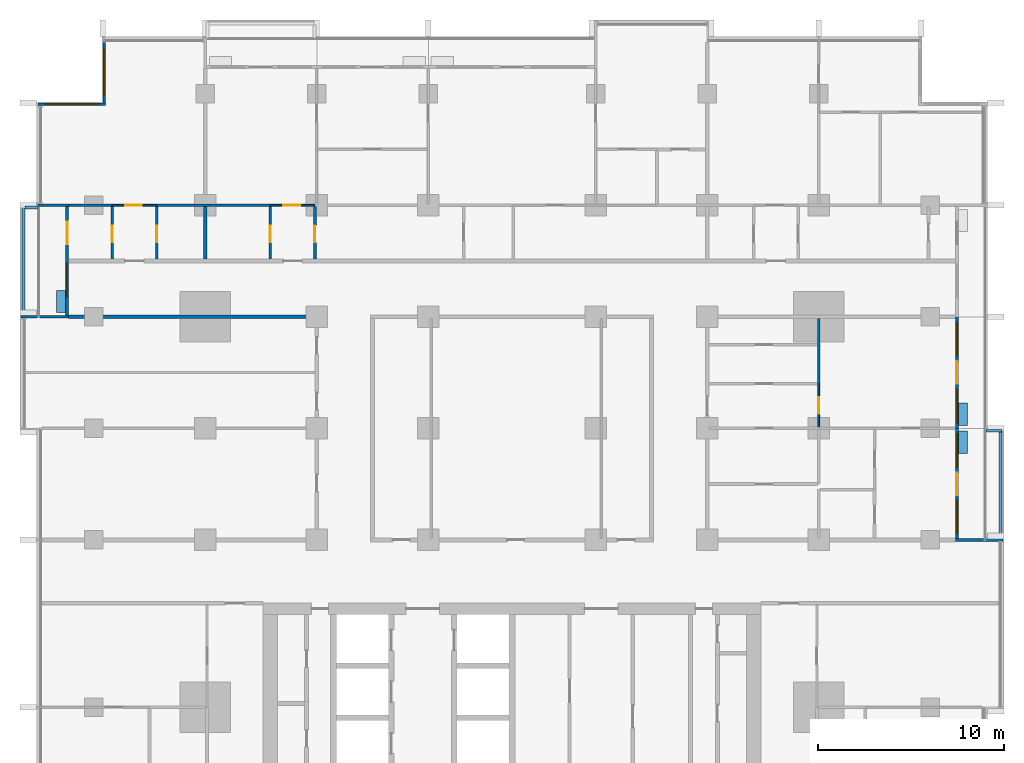
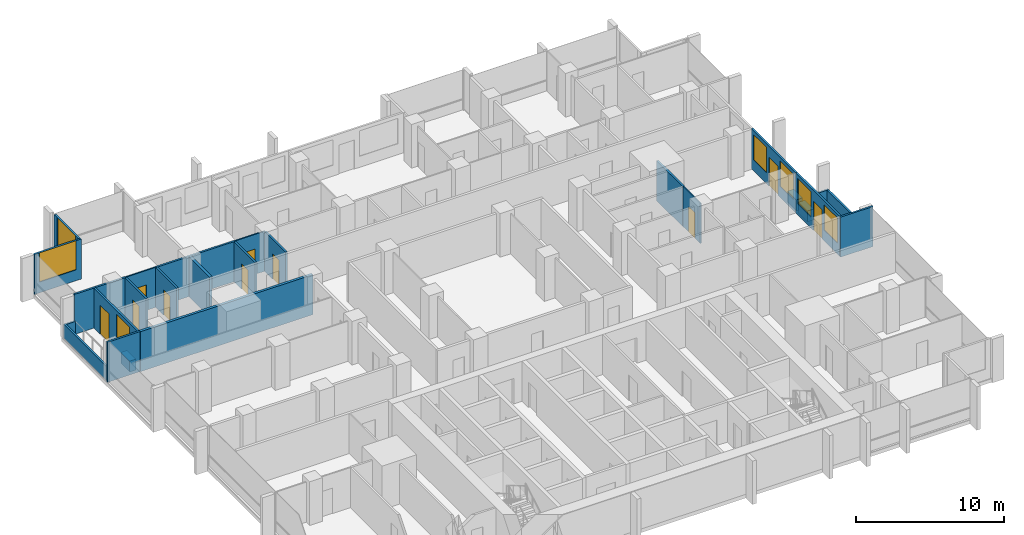
# One storey, part 10 of 17: 27 walls, 10 doors, 7 windows, 17 openings.
"""IFC4 building model written with IfcOpenShell, lengths in metres."""

from ifc_helpers import new_model, si_unit, direction, frame, frame_2d, origin, place, context, subcontext, project, spatial, rectangle, extrude, material, layer, layer_set, type_object, element, fill, save


model = new_model("IFC4")

# Units and contexts
model_context = context("Model", 3, precision=1e-05, world=origin(), true_north=direction((0.0, 1.0)))
body_context = subcontext(model_context, "Body", "Model", "MODEL_VIEW")
ifc_project = project(units=[si_unit("LENGTHUNIT", "METRE"), si_unit("AREAUNIT", "SQUARE_METRE"), si_unit("VOLUMEUNIT", "CUBIC_METRE"), si_unit("PLANEANGLEUNIT", "RADIAN"), si_unit("MASSUNIT", "GRAM", prefix="KILO")], contexts=[model_context])

# Site, building, storey
site_placement = place(None, origin())
site = spatial("IfcSite", under=ifc_project, at=site_placement, CompositionType="ELEMENT")
building_placement = place(site_placement, origin())
building = spatial("IfcBuilding", under=site, at=building_placement, Name="Finial Court Residences", CompositionType="ELEMENT")
storey_placement = place(building_placement, frame((0.0, 0.0, 95.5)))
storey = spatial("IfcBuildingStorey", under=building, at=storey_placement, Name="L23", CompositionType="ELEMENT", Elevation=95.5)

# Walls
ifc_material_1 = material(Name="Gypsum board")
ifc_layer_1 = layer(ifc_material_1, 0.02490234375)
ifc_material_2 = material(Name="Acoustic mineral wool in double frame")
ifc_layer_2 = layer(ifc_material_2, 0.14990234375)
ifc_layer_3 = layer(ifc_material_1, 0.02490234375)
ifc_layer_set_1 = layer_set([ifc_layer_1, ifc_layer_2, ifc_layer_3], Name="Acoustic party wall 200, 1 hour")
wall_type_1 = type_object("IfcWallType", Name="Acoustic party wall 200, 1 hour", PredefinedType="PARTITIONING", material=ifc_layer_set_1)
wall_1_placement = place(storey_placement, frame((-16.5, 10.60009765625, 0.0), z_axis=(0.0, 0.0, 1.0), x_axis=(0.0, 1.0, 0.0)))
element("IfcWall", 1, at=wall_1_placement, inside=storey, type_object=wall_type_1, Name="Partition L23-042", PredefinedType="PARTITIONING", context=body_context, shape_type="SweptSolid", body=[
    extrude(rectangle(XDim=2.824951171875, YDim=0.199951171875, at=frame_2d((1.41259765625, 0.0))), origin(), (0.0, 0.0, 1.0), 3.300048828125),
])
ifc_layer_4 = layer(ifc_material_1, 0.02490234375)
ifc_layer_5 = layer(ifc_material_2, 0.14990234375)
ifc_layer_6 = layer(ifc_material_1, 0.02490234375)
ifc_layer_set_2 = layer_set([ifc_layer_4, ifc_layer_5, ifc_layer_6], Name="Corridor wall 200, 1 hour")
wall_type_2 = type_object("IfcWallType", Name="Corridor wall 200, 1 hour", PredefinedType="PARTITIONING", material=ifc_layer_set_2)
wall_2_placement = place(storey_placement, frame((-23.85009765625, 7.5, 0.0), z_axis=(0.0, 0.0, 1.0), x_axis=(1.0, 0.0, 0.0)))
element("IfcWall", 2, at=wall_2_placement, inside=storey, type_object=wall_type_2, Name="Partition L23-021", PredefinedType="PARTITIONING", context=body_context, shape_type="SweptSolid", body=[
    extrude(rectangle(XDim=13.4501953125, YDim=0.199951171875, at=frame_2d((6.72509765625, 0.0))), origin(), (0.0, 0.0, 1.0), 3.300048828125),
])

# Wall, opening, door
ifc_layer_7 = layer(ifc_material_1, 0.012451171875)
ifc_material_3 = material(Name="Mineral wool in light-gauge frame")
ifc_layer_8 = layer(ifc_material_3, 0.074951171875)
ifc_layer_9 = layer(ifc_material_1, 0.012451171875)
ifc_layer_set_3 = layer_set([ifc_layer_7, ifc_layer_8, ifc_layer_9], Name="Gypsum board partition 100")
wall_type_3 = type_object("IfcWallType", Name="Gypsum board partition 100", PredefinedType="PARTITIONING", material=ifc_layer_set_3)
wall_3_placement = place(storey_placement, frame((-21.5, 13.5, 0.0), z_axis=(0.0, 0.0, 1.0), x_axis=(1.0, 0.0, 0.0)))
wall_3 = element("IfcWall", 3, at=wall_3_placement, inside=storey, type_object=wall_type_3, Name="Partition L23-025", PredefinedType="PARTITIONING", context=body_context, shape_type="SweptSolid", body=[
    extrude(rectangle(XDim=2.39990234375, YDim=0.10009765625, at=frame_2d((1.199951171875, 0.0))), origin(), (0.0, 0.0, 1.0), 3.300048828125),
])
opening_1_placement = place(wall_3_placement, frame((0.699951171875, 0.0, 0.0)))
opening_1 = element("IfcOpeningElement", 4, at=opening_1_placement, cuts=wall_3, Name="Opening L23-D018", PredefinedType="OPENING", context=body_context, shape_type="SweptSolid", body=[
    extrude(rectangle(XDim=0.89990234375, YDim=2.10009765625, at=frame_2d((0.449951171875, 1.050048828125))), frame((0.0, 0.06005859375, 0.0), z_axis=(0.0, -1.0, 0.0), x_axis=(1.0, 0.0, 0.0)), (0.0, 0.0, 1.0), 0.1201171875),
])
ifc_material_4 = material(Name="Timber door leaf in timber frame", Category="wood")
door_type_1 = type_object("IfcDoorType", Name="Door set 900 x 2100", OperationType="SINGLE_SWING_LEFT", PredefinedType="DOOR", material=ifc_material_4)
door_1_placement = place(opening_1_placement, origin())
door_1 = element("IfcDoor", 5, at=door_1_placement, inside=storey, type_object=door_type_1, Name="Door L23-D018", OperationType="SINGLE_SWING_RIGHT", OverallHeight=2.10009765625, OverallWidth=0.89990234375, PredefinedType="DOOR", context=body_context, shape_type="SweptSolid", body=[
    extrude(rectangle(XDim=0.89990234375, YDim=2.10009765625, at=frame_2d((0.449951171875, 1.050048828125))), frame((0.0, 0.02490234375, 0.0), z_axis=(0.0, -1.0, 0.0), x_axis=(1.0, 0.0, 0.0)), (0.0, 0.0, 1.0), 0.050048828125),
])
fill(opening_1, door_1)

wall_4_placement = place(storey_placement, frame((-13.0, 13.5, 0.0), z_axis=(0.0, 0.0, 1.0), x_axis=(1.0, 0.0, 0.0)))
wall_4 = element("IfcWall", 6, at=wall_4_placement, inside=storey, type_object=wall_type_3, Name="Partition L23-026", PredefinedType="PARTITIONING", context=body_context, shape_type="SweptSolid", body=[
    extrude(rectangle(XDim=2.39990234375, YDim=0.10009765625, at=frame_2d((1.199951171875, 0.0))), origin(), (0.0, 0.0, 1.0), 3.300048828125),
])
opening_2_placement = place(wall_4_placement, frame((0.699951171875, 0.0, 0.0)))
opening_2 = element("IfcOpeningElement", 7, at=opening_2_placement, cuts=wall_4, Name="Opening L23-D019", PredefinedType="OPENING", context=body_context, shape_type="SweptSolid", body=[
    extrude(rectangle(XDim=0.89990234375, YDim=2.10009765625, at=frame_2d((0.449951171875, 1.050048828125))), frame((0.0, 0.06005859375, 0.0), z_axis=(0.0, -1.0, 0.0), x_axis=(1.0, 0.0, 0.0)), (0.0, 0.0, 1.0), 0.1201171875),
])
door_2_placement = place(opening_2_placement, origin())
door_2 = element("IfcDoor", 8, at=door_2_placement, inside=storey, type_object=door_type_1, Name="Door L23-D019", OperationType="SINGLE_SWING_RIGHT", OverallHeight=2.10009765625, OverallWidth=0.89990234375, PredefinedType="DOOR", context=body_context, shape_type="SweptSolid", body=[
    extrude(rectangle(XDim=0.89990234375, YDim=2.10009765625, at=frame_2d((0.449951171875, 1.050048828125))), frame((0.0, 0.02490234375, 0.0), z_axis=(0.0, -1.0, 0.0), x_axis=(1.0, 0.0, 0.0)), (0.0, 0.0, 1.0), 0.050048828125),
])
fill(opening_2, door_2)

wall_5_placement = place(storey_placement, frame((16.5, 1.574951171875, 0.0), z_axis=(0.0, 0.0, 1.0), x_axis=(0.0, 1.0, 0.0)))
wall_5 = element("IfcWall", 9, at=wall_5_placement, inside=storey, type_object=wall_type_3, Name="Partition L23-068", PredefinedType="PARTITIONING", context=body_context, shape_type="SweptSolid", body=[
    extrude(rectangle(XDim=2.324951171875, YDim=0.10009765625, at=frame_2d((1.16259765625, 0.0))), origin(), (0.0, 0.0, 1.0), 3.300048828125),
])
opening_3_placement = place(wall_5_placement, frame((0.699951171875, 0.0, 0.0)))
opening_3 = element("IfcOpeningElement", 10, at=opening_3_placement, cuts=wall_5, Name="Opening L23-D046", PredefinedType="OPENING", context=body_context, shape_type="SweptSolid", body=[
    extrude(rectangle(XDim=0.89990234375, YDim=2.10009765625, at=frame_2d((0.449951171875, 1.050048828125))), frame((0.0, 0.06005859375, 0.0), z_axis=(0.0, -1.0, 0.0), x_axis=(1.0, 0.0, 0.0)), (0.0, 0.0, 1.0), 0.1201171875),
])
door_3_placement = place(opening_3_placement, origin())
door_3 = element("IfcDoor", 11, at=door_3_placement, inside=storey, type_object=door_type_1, Name="Door L23-D046", OperationType="SINGLE_SWING_LEFT", OverallHeight=2.10009765625, OverallWidth=0.89990234375, PredefinedType="DOOR", context=body_context, shape_type="SweptSolid", body=[
    extrude(rectangle(XDim=0.89990234375, YDim=2.10009765625, at=frame_2d((0.449951171875, 1.050048828125))), frame((0.0, 0.02490234375, 0.0), z_axis=(0.0, -1.0, 0.0), x_axis=(1.0, 0.0, 0.0)), (0.0, 0.0, 1.0), 0.050048828125),
])
fill(opening_3, door_3)

# Walls
ifc_material_5 = material(Name="Moisture-resistant gypsum board")
ifc_layer_10 = layer(ifc_material_5, 0.012451171875)
ifc_layer_11 = layer(ifc_material_3, 0.125)
ifc_layer_12 = layer(ifc_material_5, 0.012451171875)
ifc_layer_set_4 = layer_set([ifc_layer_10, ifc_layer_11, ifc_layer_12], Name="Gypsum board wet-area partition 150")
wall_type_4 = type_object("IfcWallType", Name="Gypsum board wet-area partition 150", PredefinedType="PARTITIONING", material=ifc_layer_set_4)
wall_6_placement = place(storey_placement, frame((-23.85009765625, 13.5, 0.0), z_axis=(0.0, 0.0, 1.0), x_axis=(1.0, 0.0, 0.0)))
element("IfcWall", 12, at=wall_6_placement, inside=storey, type_object=wall_type_4, Name="Partition L23-029", PredefinedType="PARTITIONING", context=body_context, shape_type="SweptSolid", body=[
    extrude(rectangle(XDim=2.35009765625, YDim=0.14990234375, at=frame_2d((1.175048828125, 0.0))), origin(), (0.0, 0.0, 1.0), 3.300048828125),
])
wall_7_placement = place(storey_placement, frame((-19.10009765625, 13.5, 0.0), z_axis=(0.0, 0.0, 1.0), x_axis=(1.0, 0.0, 0.0)))
element("IfcWall", 13, at=wall_7_placement, inside=storey, type_object=wall_type_4, Name="Partition L23-030", PredefinedType="PARTITIONING", context=body_context, shape_type="SweptSolid", body=[
    extrude(rectangle(XDim=6.10009765625, YDim=0.14990234375, at=frame_2d((3.050048828125, 0.0))), origin(), (0.0, 0.0, 1.0), 3.300048828125),
])

# Wall, opening, door
wall_8_placement = place(storey_placement, frame((-21.5, 10.60009765625, 0.0), z_axis=(0.0, 0.0, 1.0), x_axis=(0.0, 1.0, 0.0)))
wall_8 = element("IfcWall", 14, at=wall_8_placement, inside=storey, type_object=wall_type_4, Name="Partition L23-039", PredefinedType="PARTITIONING", context=body_context, shape_type="SweptSolid", body=[
    extrude(rectangle(XDim=2.824951171875, YDim=0.14990234375, at=frame_2d((1.41259765625, 0.0))), origin(), (0.0, 0.0, 1.0), 3.300048828125),
])
opening_4_placement = place(wall_8_placement, frame((0.89990234375, 0.0, 0.0)))
opening_4 = element("IfcOpeningElement", 15, at=opening_4_placement, cuts=wall_8, Name="Opening L23-D027", PredefinedType="OPENING", context=body_context, shape_type="SweptSolid", body=[
    extrude(rectangle(XDim=0.89990234375, YDim=2.10009765625, at=frame_2d((0.449951171875, 1.050048828125))), frame((0.0, 0.0849609375, 0.0), z_axis=(0.0, -1.0, 0.0), x_axis=(1.0, 0.0, 0.0)), (0.0, 0.0, 1.0), 0.169921875),
])
door_4_placement = place(opening_4_placement, origin())
door_4 = element("IfcDoor", 16, at=door_4_placement, inside=storey, type_object=door_type_1, Name="Door L23-D027", OperationType="SINGLE_SWING_RIGHT", OverallHeight=2.10009765625, OverallWidth=0.89990234375, PredefinedType="DOOR", context=body_context, shape_type="SweptSolid", body=[
    extrude(rectangle(XDim=0.89990234375, YDim=2.10009765625, at=frame_2d((0.449951171875, 1.050048828125))), frame((0.0, 0.02490234375, 0.0), z_axis=(0.0, -1.0, 0.0), x_axis=(1.0, 0.0, 0.0)), (0.0, 0.0, 1.0), 0.050048828125),
])
fill(opening_4, door_4)

wall_9_placement = place(storey_placement, frame((-19.10009765625, 10.60009765625, 0.0), z_axis=(0.0, 0.0, 1.0), x_axis=(0.0, 1.0, 0.0)))
wall_9 = element("IfcWall", 17, at=wall_9_placement, inside=storey, type_object=wall_type_4, Name="Partition L23-041", PredefinedType="PARTITIONING", context=body_context, shape_type="SweptSolid", body=[
    extrude(rectangle(XDim=2.824951171875, YDim=0.14990234375, at=frame_2d((1.41259765625, 0.0))), origin(), (0.0, 0.0, 1.0), 3.300048828125),
])
opening_5_placement = place(wall_9_placement, frame((0.89990234375, 0.0, 0.0)))
opening_5 = element("IfcOpeningElement", 18, at=opening_5_placement, cuts=wall_9, Name="Opening L23-D029", PredefinedType="OPENING", context=body_context, shape_type="SweptSolid", body=[
    extrude(rectangle(XDim=0.89990234375, YDim=2.10009765625, at=frame_2d((0.449951171875, 1.050048828125))), frame((0.0, 0.0849609375, 0.0), z_axis=(0.0, -1.0, 0.0), x_axis=(1.0, 0.0, 0.0)), (0.0, 0.0, 1.0), 0.169921875),
])
door_5_placement = place(opening_5_placement, origin())
door_5 = element("IfcDoor", 19, at=door_5_placement, inside=storey, type_object=door_type_1, Name="Door L23-D029", OperationType="SINGLE_SWING_LEFT", OverallHeight=2.10009765625, OverallWidth=0.89990234375, PredefinedType="DOOR", context=body_context, shape_type="SweptSolid", body=[
    extrude(rectangle(XDim=0.89990234375, YDim=2.10009765625, at=frame_2d((0.449951171875, 1.050048828125))), frame((0.0, 0.02490234375, 0.0), z_axis=(0.0, -1.0, 0.0), x_axis=(1.0, 0.0, 0.0)), (0.0, 0.0, 1.0), 0.050048828125),
])
fill(opening_5, door_5)

wall_10_placement = place(storey_placement, frame((-13.0, 10.60009765625, 0.0), z_axis=(0.0, 0.0, 1.0), x_axis=(0.0, 1.0, 0.0)))
wall_10 = element("IfcWall", 20, at=wall_10_placement, inside=storey, type_object=wall_type_4, Name="Partition L23-046", PredefinedType="PARTITIONING", context=body_context, shape_type="SweptSolid", body=[
    extrude(rectangle(XDim=2.824951171875, YDim=0.14990234375, at=frame_2d((1.41259765625, 0.0))), origin(), (0.0, 0.0, 1.0), 3.300048828125),
])
opening_6_placement = place(wall_10_placement, frame((0.89990234375, 0.0, 0.0)))
opening_6 = element("IfcOpeningElement", 21, at=opening_6_placement, cuts=wall_10, Name="Opening L23-D031", PredefinedType="OPENING", context=body_context, shape_type="SweptSolid", body=[
    extrude(rectangle(XDim=0.89990234375, YDim=2.10009765625, at=frame_2d((0.449951171875, 1.050048828125))), frame((0.0, 0.0849609375, 0.0), z_axis=(0.0, -1.0, 0.0), x_axis=(1.0, 0.0, 0.0)), (0.0, 0.0, 1.0), 0.169921875),
])
door_6_placement = place(opening_6_placement, origin())
door_6 = element("IfcDoor", 22, at=door_6_placement, inside=storey, type_object=door_type_1, Name="Door L23-D031", OperationType="SINGLE_SWING_RIGHT", OverallHeight=2.10009765625, OverallWidth=0.89990234375, PredefinedType="DOOR", context=body_context, shape_type="SweptSolid", body=[
    extrude(rectangle(XDim=0.89990234375, YDim=2.10009765625, at=frame_2d((0.449951171875, 1.050048828125))), frame((0.0, 0.02490234375, 0.0), z_axis=(0.0, -1.0, 0.0), x_axis=(1.0, 0.0, 0.0)), (0.0, 0.0, 1.0), 0.050048828125),
])
fill(opening_6, door_6)

wall_11_placement = place(storey_placement, frame((-10.60009765625, 10.60009765625, 0.0), z_axis=(0.0, 0.0, 1.0), x_axis=(0.0, 1.0, 0.0)))
wall_11 = element("IfcWall", 23, at=wall_11_placement, inside=storey, type_object=wall_type_4, Name="Partition L23-047", PredefinedType="PARTITIONING", context=body_context, shape_type="SweptSolid", body=[
    extrude(rectangle(XDim=2.824951171875, YDim=0.14990234375, at=frame_2d((1.41259765625, 0.0))), origin(), (0.0, 0.0, 1.0), 3.300048828125),
])
opening_7_placement = place(wall_11_placement, frame((0.89990234375, 0.0, 0.0)))
opening_7 = element("IfcOpeningElement", 24, at=opening_7_placement, cuts=wall_11, Name="Opening L23-D032", PredefinedType="OPENING", context=body_context, shape_type="SweptSolid", body=[
    extrude(rectangle(XDim=0.89990234375, YDim=2.10009765625, at=frame_2d((0.449951171875, 1.050048828125))), frame((0.0, 0.0849609375, 0.0), z_axis=(0.0, -1.0, 0.0), x_axis=(1.0, 0.0, 0.0)), (0.0, 0.0, 1.0), 0.169921875),
])
door_7_placement = place(opening_7_placement, origin())
door_7 = element("IfcDoor", 25, at=door_7_placement, inside=storey, type_object=door_type_1, Name="Door L23-D032", OperationType="SINGLE_SWING_RIGHT", OverallHeight=2.10009765625, OverallWidth=0.89990234375, PredefinedType="DOOR", context=body_context, shape_type="SweptSolid", body=[
    extrude(rectangle(XDim=0.89990234375, YDim=2.10009765625, at=frame_2d((0.449951171875, 1.050048828125))), frame((0.0, 0.02490234375, 0.0), z_axis=(0.0, -1.0, 0.0), x_axis=(1.0, 0.0, 0.0)), (0.0, 0.0, 1.0), 0.050048828125),
])
fill(opening_7, door_7)

# Walls
wall_12_placement = place(storey_placement, frame((16.5, 3.89990234375, 0.0), z_axis=(0.0, 0.0, 1.0), x_axis=(0.0, 1.0, 0.0)))
element("IfcWall", 26, at=wall_12_placement, inside=storey, type_object=wall_type_4, Name="Partition L23-072", PredefinedType="PARTITIONING", context=body_context, shape_type="SweptSolid", body=[
    extrude(rectangle(XDim=3.5, YDim=0.14990234375, at=frame_2d((1.75, 0.0))), origin(), (0.0, 0.0, 1.0), 3.300048828125),
])
ifc_material_6 = material(Name="Concrete C35/45", Category="concrete")
ifc_layer_13 = layer(ifc_material_6, 0.14990234375)
ifc_layer_set_5 = layer_set([ifc_layer_13], Name="Ledge parapet, Concrete C35/45 150")
wall_type_5 = type_object("IfcWallType", Name="Ledge parapet, Concrete C35/45 150", PredefinedType="PARAPET", material=ifc_layer_set_5)
wall_13_placement = place(storey_placement, frame((-26.27490234375, 7.510009765625, 0.0), z_axis=(0.0, 0.0, 1.0), x_axis=(0.0, 1.0, 0.0)))
element("IfcWall", 27, at=wall_13_placement, inside=storey, type_object=wall_type_5, Name="E-L23-LED1-P1", PredefinedType="PARAPET", context=body_context, shape_type="SweptSolid", body=[
    extrude(rectangle(XDim=5.93994140625, YDim=0.14990234375, at=frame_2d((2.969970703125, 0.0))), origin(), (0.0, 0.0, 1.0), 1.14990234375),
])
wall_14_placement = place(storey_placement, frame((-26.199951171875, 13.375, 0.0), z_axis=(0.0, 0.0, 1.0), x_axis=(1.0, 0.0, 0.0)))
element("IfcWall", 28, at=wall_14_placement, inside=storey, type_object=wall_type_5, Name="E-L23-LED1-P2", PredefinedType="PARAPET", context=body_context, shape_type="SweptSolid", body=[
    extrude(rectangle(XDim=0.68994140625, YDim=0.14990234375, at=frame_2d((0.344970703125, 0.0))), origin(), (0.0, 0.0, 1.0), 1.14990234375),
])
wall_15_placement = place(storey_placement, frame((25.510009765625, 1.375, 0.0), z_axis=(0.0, 0.0, 1.0), x_axis=(1.0, 0.0, 0.0)))
element("IfcWall", 29, at=wall_15_placement, inside=storey, type_object=wall_type_5, Name="E-L23-LED3-P1", PredefinedType="PARAPET", context=body_context, shape_type="SweptSolid", body=[
    extrude(rectangle(XDim=0.840087890625, YDim=0.14990234375, at=frame_2d((0.419921875, 0.0))), origin(), (0.0, 0.0, 1.0), 1.14990234375),
])
wall_16_placement = place(storey_placement, frame((26.27490234375, 1.300048828125, 0.0), z_axis=(0.0, 0.0, 1.0), x_axis=(0.0, -1.0, 0.0)))
element("IfcWall", 30, at=wall_16_placement, inside=storey, type_object=wall_type_5, Name="E-L23-LED3-P2", PredefinedType="PARAPET", context=body_context, shape_type="SweptSolid", body=[
    extrude(rectangle(XDim=5.7900390625, YDim=0.14990234375, at=frame_2d((2.89501953125, 0.0))), origin(), (0.0, 0.0, 1.0), 1.14990234375),
])

# Wall, opening, window
ifc_material_7 = material(Name="Natural limestone", Category="masonry")
ifc_layer_14 = layer(ifc_material_7, 0.14990234375)
ifc_layer_set_6 = layer_set([ifc_layer_14], Name="Limestone clad wall 150")
wall_type_6 = type_object("IfcWallType", Name="Limestone clad wall 150", PredefinedType="SOLIDWALL", material=ifc_layer_set_6)
wall_17_placement = place(storey_placement, frame((-21.925048828125, 19.0, 0.0), z_axis=(0.0, 0.0, 1.0), x_axis=(0.0, 1.0, 0.0)))
wall_17 = element("IfcWall", 31, at=wall_17_placement, inside=storey, type_object=wall_type_6, Name="E-L23-NWW16", PredefinedType="SOLIDWALL", context=body_context, shape_type="SweptSolid", body=[
    extrude(rectangle(XDim=3.25, YDim=0.14990234375, at=frame_2d((1.625, 0.0))), origin(), (0.0, 0.0, 1.0), 3.300048828125),
])
opening_8_placement = place(wall_17_placement, frame((0.39990234375, 0.0, 0.89990234375)))
opening_8 = element("IfcOpeningElement", 32, at=opening_8_placement, cuts=wall_17, Name="Opening WE23-05", PredefinedType="OPENING", context=body_context, shape_type="SweptSolid", body=[
    extrude(rectangle(XDim=2.449951171875, YDim=2.39990234375, at=frame_2d((1.22509765625, 1.199951171875))), frame((0.0, 0.0849609375, 0.0), z_axis=(0.0, -1.0, 0.0), x_axis=(1.0, 0.0, 0.0)), (0.0, 0.0, 1.0), 0.169921875),
])
ifc_material_8 = material(Name="Clear low-e glass", Category="glass")
window_type_1 = type_object("IfcWindowType", Name="Corner window 2450 x 2400", PartitioningType="SINGLE_PANEL", PredefinedType="WINDOW", material=ifc_material_8)
window_1_placement = place(opening_8_placement, origin())
window_1 = element("IfcWindow", 33, at=window_1_placement, inside=storey, type_object=window_type_1, Name="E-L23-NWW16-W1", OverallHeight=2.39990234375, OverallWidth=2.449951171875, PartitioningType="SINGLE_PANEL", PredefinedType="WINDOW", context=body_context, shape_type="SweptSolid", body=[
    extrude(rectangle(XDim=2.449951171875, YDim=2.39990234375, at=frame_2d((1.22509765625, 1.199951171875))), frame((0.0, 0.030029296875, 0.0), z_axis=(0.0, -1.0, 0.0), x_axis=(1.0, 0.0, 0.0)), (0.0, 0.0, 1.0), 0.06005859375),
])
fill(opening_8, window_1)

wall_18_placement = place(storey_placement, frame((-25.5, 18.925048828125, 0.0), z_axis=(0.0, 0.0, 1.0), x_axis=(1.0, 0.0, 0.0)))
wall_18 = element("IfcWall", 34, at=wall_18_placement, inside=storey, type_object=wall_type_6, Name="E-L23-NWN17", PredefinedType="SOLIDWALL", context=body_context, shape_type="SweptSolid", body=[
    extrude(rectangle(XDim=3.64990234375, YDim=0.14990234375, at=frame_2d((1.824951171875, 0.0))), origin(), (0.0, 0.0, 1.0), 3.300048828125),
])
opening_9_placement = place(wall_18_placement, frame((0.39990234375, 0.0, 0.89990234375)))
opening_9 = element("IfcOpeningElement", 35, at=opening_9_placement, cuts=wall_18, Name="Opening WE23-06", PredefinedType="OPENING", context=body_context, shape_type="SweptSolid", body=[
    extrude(rectangle(XDim=2.85009765625, YDim=2.39990234375, at=frame_2d((1.425048828125, 1.199951171875))), frame((0.0, 0.0849609375, 0.0), z_axis=(0.0, -1.0, 0.0), x_axis=(1.0, 0.0, 0.0)), (0.0, 0.0, 1.0), 0.169921875),
])
window_type_2 = type_object("IfcWindowType", Name="Corner window 2850 x 2400", PartitioningType="SINGLE_PANEL", PredefinedType="WINDOW", material=ifc_material_8)
window_2_placement = place(opening_9_placement, origin())
window_2 = element("IfcWindow", 36, at=window_2_placement, inside=storey, type_object=window_type_2, Name="E-L23-NWN17-W1", OverallHeight=2.39990234375, OverallWidth=2.85009765625, PartitioningType="SINGLE_PANEL", PredefinedType="WINDOW", context=body_context, shape_type="SweptSolid", body=[
    extrude(rectangle(XDim=2.85009765625, YDim=2.39990234375, at=frame_2d((1.425048828125, 1.199951171875))), frame((0.0, 0.030029296875, 0.0), z_axis=(0.0, -1.0, 0.0), x_axis=(1.0, 0.0, 0.0)), (0.0, 0.0, 1.0), 0.06005859375),
])
fill(opening_9, window_2)

# Wall
wall_19_placement = place(storey_placement, frame((23.85009765625, -4.5, 0.0), z_axis=(0.0, 0.0, 1.0), x_axis=(1.0, 0.0, 0.0)))
element("IfcWall", 37, at=wall_19_placement, inside=storey, type_object=wall_type_6, Name="E-L23-BALE3-P1", PredefinedType="SOLIDWALL", context=body_context, shape_type="SweptSolid", body=[
    extrude(rectangle(XDim=2.5498046875, YDim=0.14990234375, at=frame_2d((1.27490234375, 0.0))), origin(), (0.0, 0.0, 1.0), 3.300048828125),
])

# Wall, openings, door, windows
wall_20_placement = place(storey_placement, frame((23.925048828125, 1.5, 0.0), z_axis=(0.0, 0.0, 1.0), x_axis=(0.0, -1.0, 0.0)))
wall_20 = element("IfcWall", 38, at=wall_20_placement, inside=storey, type_object=wall_type_6, Name="E-L23-L23-BALE3-W", PredefinedType="SOLIDWALL", context=body_context, shape_type="SweptSolid", body=[
    extrude(rectangle(XDim=5.925048828125, YDim=0.14990234375, at=frame_2d((2.96240234375, 0.0))), origin(), (0.0, 0.0, 1.0), 3.300048828125),
])
opening_10_placement = place(wall_20_placement, frame((2.39990234375, 0.0, 0.0)))
opening_10 = element("IfcOpeningElement", 39, at=opening_10_placement, cuts=wall_20, Name="Opening DE23-04", PredefinedType="OPENING", context=body_context, shape_type="SweptSolid", body=[
    extrude(rectangle(XDim=1.199951171875, YDim=2.39990234375, at=frame_2d((0.60009765625, 1.199951171875))), frame((0.0, 0.0849609375, 0.0), z_axis=(0.0, -1.0, 0.0), x_axis=(1.0, 0.0, 0.0)), (0.0, 0.0, 1.0), 0.169921875),
])
opening_11_placement = place(wall_20_placement, frame((3.862548828125, 0.0, 0.89990234375)))
opening_11 = element("IfcOpeningElement", 40, at=opening_11_placement, cuts=wall_20, Name="Opening WE23-15", PredefinedType="OPENING", context=body_context, shape_type="SweptSolid", body=[
    extrude(rectangle(XDim=1.800048828125, YDim=2.10009765625, at=frame_2d((0.89990234375, 1.050048828125))), frame((0.0, 0.0849609375, 0.0), z_axis=(0.0, -1.0, 0.0), x_axis=(1.0, 0.0, 0.0)), (0.0, 0.0, 1.0), 0.169921875),
])
opening_12_placement = place(wall_20_placement, frame((0.300048828125, 0.0, 0.89990234375)))
opening_12 = element("IfcOpeningElement", 41, at=opening_12_placement, cuts=wall_20, Name="Opening WE23-16", PredefinedType="OPENING", context=body_context, shape_type="SweptSolid", body=[
    extrude(rectangle(XDim=1.800048828125, YDim=2.10009765625, at=frame_2d((0.89990234375, 1.050048828125))), frame((0.0, 0.0849609375, 0.0), z_axis=(0.0, -1.0, 0.0), x_axis=(1.0, 0.0, 0.0)), (0.0, 0.0, 1.0), 0.169921875),
])
ifc_material_9 = material(Name="Bronze anodised aluminium", Category="aluminium")
door_type_2 = type_object("IfcDoorType", Name="Balcony door 1200 x 2400", OperationType="SINGLE_SWING_LEFT", PredefinedType="DOOR", material=ifc_material_9)
door_8_placement = place(opening_10_placement, origin())
door_8 = element("IfcDoor", 42, at=door_8_placement, inside=storey, type_object=door_type_2, Name="E-L23-L23-BALE3-W-D", OperationType="SINGLE_SWING_RIGHT", OverallHeight=2.39990234375, OverallWidth=1.199951171875, PredefinedType="DOOR", context=body_context, shape_type="SweptSolid", body=[
    extrude(rectangle(XDim=1.199951171875, YDim=2.39990234375, at=frame_2d((0.60009765625, 1.199951171875))), frame((0.0, 0.02490234375, 0.0), z_axis=(0.0, -1.0, 0.0), x_axis=(1.0, 0.0, 0.0)), (0.0, 0.0, 1.0), 0.050048828125),
])
fill(opening_10, door_8)
window_type_3 = type_object("IfcWindowType", Name="Balcony window 1800 x 2100", PartitioningType="SINGLE_PANEL", PredefinedType="WINDOW", material=ifc_material_8)
window_3_placement = place(opening_11_placement, origin())
window_3 = element("IfcWindow", 43, at=window_3_placement, inside=storey, type_object=window_type_3, Name="E-L23-L23-BALE3-W-W1", OverallHeight=2.10009765625, OverallWidth=1.800048828125, PartitioningType="SINGLE_PANEL", PredefinedType="WINDOW", context=body_context, shape_type="SweptSolid", body=[
    extrude(rectangle(XDim=1.800048828125, YDim=2.10009765625, at=frame_2d((0.89990234375, 1.050048828125))), frame((0.0, 0.030029296875, 0.0), z_axis=(0.0, -1.0, 0.0), x_axis=(1.0, 0.0, 0.0)), (0.0, 0.0, 1.0), 0.06005859375),
])
fill(opening_11, window_3)
window_4_placement = place(opening_12_placement, origin())
window_4 = element("IfcWindow", 44, at=window_4_placement, inside=storey, type_object=window_type_3, Name="E-L23-L23-BALE3-W-W2", OverallHeight=2.10009765625, OverallWidth=1.800048828125, PartitioningType="SINGLE_PANEL", PredefinedType="WINDOW", context=body_context, shape_type="SweptSolid", body=[
    extrude(rectangle(XDim=1.800048828125, YDim=2.10009765625, at=frame_2d((0.89990234375, 1.050048828125))), frame((0.0, 0.030029296875, 0.0), z_axis=(0.0, -1.0, 0.0), x_axis=(1.0, 0.0, 0.0)), (0.0, 0.0, 1.0), 0.06005859375),
])
fill(opening_12, window_4)

wall_21_placement = place(storey_placement, frame((23.925048828125, 7.5, 0.0), z_axis=(0.0, 0.0, 1.0), x_axis=(0.0, -1.0, 0.0)))
wall_21 = element("IfcWall", 45, at=wall_21_placement, inside=storey, type_object=wall_type_6, Name="E-L23-L23-BALE4-W", PredefinedType="SOLIDWALL", context=body_context, shape_type="SweptSolid", body=[
    extrude(rectangle(XDim=6.0, YDim=0.14990234375, at=frame_2d((3.0, 0.0))), origin(), (0.0, 0.0, 1.0), 3.300048828125),
])
opening_13_placement = place(wall_21_placement, frame((2.39990234375, 0.0, 0.0)))
opening_13 = element("IfcOpeningElement", 46, at=opening_13_placement, cuts=wall_21, Name="Opening DE23-05", PredefinedType="OPENING", context=body_context, shape_type="SweptSolid", body=[
    extrude(rectangle(XDim=1.199951171875, YDim=2.39990234375, at=frame_2d((0.60009765625, 1.199951171875))), frame((0.0, 0.0849609375, 0.0), z_axis=(0.0, -1.0, 0.0), x_axis=(1.0, 0.0, 0.0)), (0.0, 0.0, 1.0), 0.169921875),
])
opening_14_placement = place(wall_21_placement, frame((3.89990234375, 0.0, 0.89990234375)))
opening_14 = element("IfcOpeningElement", 47, at=opening_14_placement, cuts=wall_21, Name="Opening WE23-17", PredefinedType="OPENING", context=body_context, shape_type="SweptSolid", body=[
    extrude(rectangle(XDim=1.800048828125, YDim=2.10009765625, at=frame_2d((0.89990234375, 1.050048828125))), frame((0.0, 0.0849609375, 0.0), z_axis=(0.0, -1.0, 0.0), x_axis=(1.0, 0.0, 0.0)), (0.0, 0.0, 1.0), 0.169921875),
])
opening_15_placement = place(wall_21_placement, frame((0.300048828125, 0.0, 0.89990234375)))
opening_15 = element("IfcOpeningElement", 48, at=opening_15_placement, cuts=wall_21, Name="Opening WE23-18", PredefinedType="OPENING", context=body_context, shape_type="SweptSolid", body=[
    extrude(rectangle(XDim=1.800048828125, YDim=2.10009765625, at=frame_2d((0.89990234375, 1.050048828125))), frame((0.0, 0.0849609375, 0.0), z_axis=(0.0, -1.0, 0.0), x_axis=(1.0, 0.0, 0.0)), (0.0, 0.0, 1.0), 0.169921875),
])
door_9_placement = place(opening_13_placement, origin())
door_9 = element("IfcDoor", 49, at=door_9_placement, inside=storey, type_object=door_type_2, Name="E-L23-L23-BALE4-W-D", OperationType="SINGLE_SWING_LEFT", OverallHeight=2.39990234375, OverallWidth=1.199951171875, PredefinedType="DOOR", context=body_context, shape_type="SweptSolid", body=[
    extrude(rectangle(XDim=1.199951171875, YDim=2.39990234375, at=frame_2d((0.60009765625, 1.199951171875))), frame((0.0, 0.02490234375, 0.0), z_axis=(0.0, -1.0, 0.0), x_axis=(1.0, 0.0, 0.0)), (0.0, 0.0, 1.0), 0.050048828125),
])
fill(opening_13, door_9)
window_5_placement = place(opening_14_placement, origin())
window_5 = element("IfcWindow", 50, at=window_5_placement, inside=storey, type_object=window_type_3, Name="E-L23-L23-BALE4-W-W1", OverallHeight=2.10009765625, OverallWidth=1.800048828125, PartitioningType="SINGLE_PANEL", PredefinedType="WINDOW", context=body_context, shape_type="SweptSolid", body=[
    extrude(rectangle(XDim=1.800048828125, YDim=2.10009765625, at=frame_2d((0.89990234375, 1.050048828125))), frame((0.0, 0.030029296875, 0.0), z_axis=(0.0, -1.0, 0.0), x_axis=(1.0, 0.0, 0.0)), (0.0, 0.0, 1.0), 0.06005859375),
])
fill(opening_14, window_5)
window_6_placement = place(opening_15_placement, origin())
window_6 = element("IfcWindow", 51, at=window_6_placement, inside=storey, type_object=window_type_3, Name="E-L23-L23-BALE4-W-W2", OverallHeight=2.10009765625, OverallWidth=1.800048828125, PartitioningType="SINGLE_PANEL", PredefinedType="WINDOW", context=body_context, shape_type="SweptSolid", body=[
    extrude(rectangle(XDim=1.800048828125, YDim=2.10009765625, at=frame_2d((0.89990234375, 1.050048828125))), frame((0.0, 0.030029296875, 0.0), z_axis=(0.0, -1.0, 0.0), x_axis=(1.0, 0.0, 0.0)), (0.0, 0.0, 1.0), 0.06005859375),
])
fill(opening_15, window_6)

# Walls
wall_22_placement = place(storey_placement, frame((-23.85009765625, 7.5, 0.0), z_axis=(0.0, 0.0, 1.0), x_axis=(-1.0, 0.0, 0.0)))
element("IfcWall", 52, at=wall_22_placement, inside=storey, type_object=wall_type_6, Name="E-L23-BALW5-P1", PredefinedType="SOLIDWALL", context=body_context, shape_type="SweptSolid", body=[
    extrude(rectangle(XDim=2.5498046875, YDim=0.14990234375, at=frame_2d((1.27490234375, 0.0))), origin(), (0.0, 0.0, 1.0), 3.300048828125),
])
wall_23_placement = place(storey_placement, frame((-23.85009765625, 13.5, 0.0), z_axis=(0.0, 0.0, 1.0), x_axis=(-1.0, 0.0, 0.0)))
element("IfcWall", 53, at=wall_23_placement, inside=storey, type_object=wall_type_6, Name="E-L23-BALW5-P2", PredefinedType="SOLIDWALL", context=body_context, shape_type="SweptSolid", body=[
    extrude(rectangle(XDim=1.64990234375, YDim=0.14990234375, at=frame_2d((0.824951171875, 0.0))), origin(), (0.0, 0.0, 1.0), 3.300048828125),
])

# Wall, openings, door, window
wall_24_placement = place(storey_placement, frame((-23.925048828125, 7.574951171875, 0.0), z_axis=(0.0, 0.0, 1.0), x_axis=(0.0, 1.0, 0.0)))
wall_24 = element("IfcWall", 54, at=wall_24_placement, inside=storey, type_object=wall_type_6, Name="E-L23-L23-BALW5-W", PredefinedType="SOLIDWALL", context=body_context, shape_type="SweptSolid", body=[
    extrude(rectangle(XDim=5.85009765625, YDim=0.14990234375, at=frame_2d((2.925048828125, 0.0))), origin(), (0.0, 0.0, 1.0), 3.300048828125),
])
opening_16_placement = place(wall_24_placement, frame((3.824951171875, 0.0, 0.0)))
opening_16 = element("IfcOpeningElement", 55, at=opening_16_placement, cuts=wall_24, Name="Opening DE23-07", PredefinedType="OPENING", context=body_context, shape_type="SweptSolid", body=[
    extrude(rectangle(XDim=1.199951171875, YDim=2.39990234375, at=frame_2d((0.60009765625, 1.199951171875))), frame((0.0, 0.0849609375, 0.0), z_axis=(0.0, -1.0, 0.0), x_axis=(1.0, 0.0, 0.0)), (0.0, 0.0, 1.0), 0.169921875),
])
opening_17_placement = place(wall_24_placement, frame((1.012451171875, 0.0, 0.89990234375)))
opening_17 = element("IfcOpeningElement", 56, at=opening_17_placement, cuts=wall_24, Name="Opening WE23-20", PredefinedType="OPENING", context=body_context, shape_type="SweptSolid", body=[
    extrude(rectangle(XDim=1.800048828125, YDim=2.10009765625, at=frame_2d((0.89990234375, 1.050048828125))), frame((0.0, 0.0849609375, 0.0), z_axis=(0.0, -1.0, 0.0), x_axis=(1.0, 0.0, 0.0)), (0.0, 0.0, 1.0), 0.169921875),
])
door_10_placement = place(opening_16_placement, origin())
door_10 = element("IfcDoor", 57, at=door_10_placement, inside=storey, type_object=door_type_2, Name="E-L23-L23-BALW5-W-D", OperationType="SINGLE_SWING_LEFT", OverallHeight=2.39990234375, OverallWidth=1.199951171875, PredefinedType="DOOR", context=body_context, shape_type="SweptSolid", body=[
    extrude(rectangle(XDim=1.199951171875, YDim=2.39990234375, at=frame_2d((0.60009765625, 1.199951171875))), frame((0.0, 0.02490234375, 0.0), z_axis=(0.0, -1.0, 0.0), x_axis=(1.0, 0.0, 0.0)), (0.0, 0.0, 1.0), 0.050048828125),
])
fill(opening_16, door_10)
window_7_placement = place(opening_17_placement, origin())
window_7 = element("IfcWindow", 58, at=window_7_placement, inside=storey, type_object=window_type_3, Name="E-L23-L23-BALW5-W-W1", OverallHeight=2.10009765625, OverallWidth=1.800048828125, PartitioningType="SINGLE_PANEL", PredefinedType="WINDOW", context=body_context, shape_type="SweptSolid", body=[
    extrude(rectangle(XDim=1.800048828125, YDim=2.10009765625, at=frame_2d((0.89990234375, 1.050048828125))), frame((0.0, 0.030029296875, 0.0), z_axis=(0.0, -1.0, 0.0), x_axis=(1.0, 0.0, 0.0)), (0.0, 0.0, 1.0), 0.06005859375),
])
fill(opening_17, window_7)

# Walls
ifc_material_10 = material(Name="Concrete C40/50", Category="concrete")
ifc_layer_15 = layer(ifc_material_10, 0.10009765625)
ifc_material_11 = material(Name="Planting soil", Category="soil")
ifc_layer_16 = layer(ifc_material_11, 0.300048828125)
ifc_layer_17 = layer(ifc_material_10, 0.10009765625)
ifc_layer_set_7 = layer_set([ifc_layer_15, ifc_layer_16, ifc_layer_17], Name="Planter wall, balcony")
wall_type_7 = type_object("IfcWallType", Name="Planter wall, balcony", PredefinedType="USERDEFINED", material=ifc_layer_set_7)
for number, where, z_axis, x_axis, name in (
    (59, (24.25, 0.14990234375, 0.0), (0.0, 0.0, 1.0), (0.0, 1.0, 0.0), "E-L23-BALE3-PL"),
    (60, (24.25, 1.64990234375, 0.0), (0.0, 0.0, 1.0), (0.0, 1.0, 0.0), "E-L23-BALE4-PL"),
):
    element("IfcWall", number, at=place(storey_placement, frame(where, z_axis=z_axis, x_axis=x_axis)), inside=storey, type_object=wall_type_7, Name=name, ObjectType="PLANTER", PredefinedType="USERDEFINED", context=body_context, shape_type="SweptSolid", body=[
        extrude(rectangle(XDim=1.2001953125, YDim=0.5, at=frame_2d((0.60009765625, 0.0))), origin(), (0.0, 0.0, 1.0), 0.89990234375),
    ])
wall_25_placement = place(storey_placement, frame((-24.25, 7.72509765625, 0.0), z_axis=(0.0, 0.0, 1.0), x_axis=(0.0, 1.0, 0.0)))
element("IfcWall", 61, at=wall_25_placement, inside=storey, type_object=wall_type_7, Name="E-L23-BALW5-PL", ObjectType="PLANTER", PredefinedType="USERDEFINED", context=body_context, shape_type="SweptSolid", body=[
    extrude(rectangle(XDim=1.199951171875, YDim=0.5, at=frame_2d((0.60009765625, 0.0))), origin(), (0.0, 0.0, 1.0), 0.89990234375),
])

save(model, "model.ifc")
